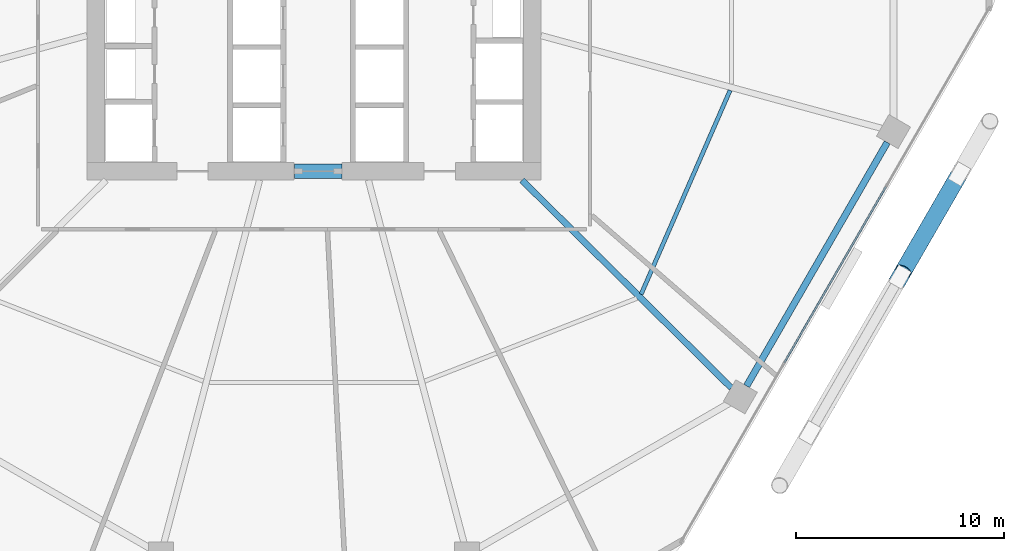
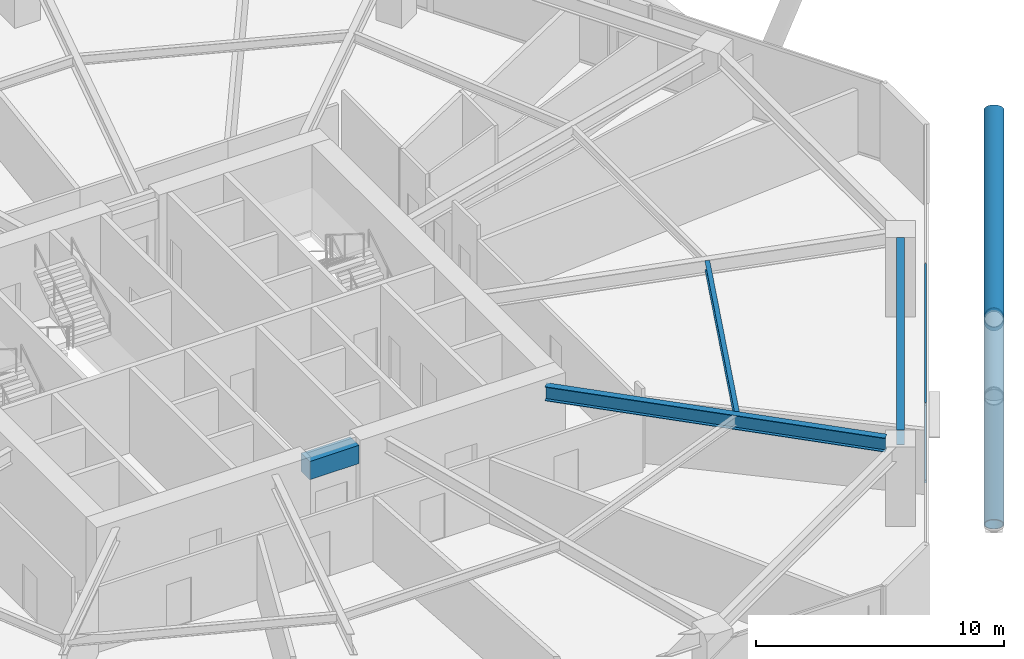
# One storey, part 10 of 30: 4 beams, 4 members, 1 element without a shape of its own.
"""IFC4 building model written with IfcOpenShell, lengths in metres."""

from ifc_helpers import new_model, si_unit, direction, frame, origin, origin_2d, place, context, subcontext, project, spatial, rectangle, hollow_rectangle, hollow_circle, i_section, extrude, material, material_profile, profile_set, type_object, element, aggregate, save


model = new_model("IFC4")

# Units and contexts
model_context = context("Model", 3, precision=1e-05, world=origin(), true_north=direction((0.0, 1.0)))
body_context = subcontext(model_context, "Body", "Model", "MODEL_VIEW")
ifc_project = project(units=[si_unit("LENGTHUNIT", "METRE"), si_unit("AREAUNIT", "SQUARE_METRE"), si_unit("VOLUMEUNIT", "CUBIC_METRE"), si_unit("PLANEANGLEUNIT", "RADIAN"), si_unit("MASSUNIT", "GRAM", prefix="KILO")], contexts=[model_context])

# Site, building, storey
site_placement = place(None, origin())
site = spatial("IfcSite", under=ifc_project, at=site_placement, CompositionType="ELEMENT")
building_placement = place(site_placement, origin())
building = spatial("IfcBuilding", under=site, at=building_placement, Name="Zuhravey Tower", CompositionType="ELEMENT")
storey_placement = place(building_placement, frame((0.0, 0.0, 16.199951171875)))
storey = spatial("IfcBuildingStorey", under=building, at=storey_placement, Name="L04", CompositionType="ELEMENT", Elevation=16.199951171875)

# Beam
ifc_material_1 = material(Name="Concrete C60/75", Category="concrete")
ifc_material_profile_1 = material_profile(ifc_material_1, rectangle(XDim=0.699951171875, YDim=0.89990234375, at=origin_2d()), Name="RC-700x900")
ifc_profile_set_1 = profile_set([ifc_material_profile_1], Name="Concrete C60/75")
beam_type_1 = type_object("IfcBeamType", Name="Core Coupling Beam RC700x900", PredefinedType="LINTEL", material=ifc_profile_set_1)
beam_1_placement = place(storey_placement, frame((35.052001953125, 22.5, 3.469970703125), z_axis=(1.0, 0.0, 0.0), x_axis=(0.0, 1.0, 0.0)))
element("IfcBeam", 1, at=beam_1_placement, inside=storey, type_object=beam_type_1, Name="L04 CB1 BM-L04-CB-S", PredefinedType="LINTEL", context=body_context, shape_type="SweptSolid", body=[
    extrude(rectangle(XDim=0.699951171875, YDim=0.89990234375, at=origin_2d()), origin(), (0.0, 0.0, 1.0), 2.2958984375),
])

# Curtain wall, members
ifc_material_2 = material(Name="Thermally broken anodised aluminium", Category="aluminium")
curtain_wall_type = type_object("IfcCurtainWallType", Name="School Low-E Unitised Curtain Wall CW1", PredefinedType="NOTDEFINED", material=ifc_material_2)
curtain_wall_placement = place(storey_placement, origin())
curtain_wall = element("IfcCurtainWall", 2, at=curtain_wall_placement, inside=storey, type_object=curtain_wall_type, Name="L04 CW1 CW-L04-F6-1", PredefinedType="NOTDEFINED")
ifc_material_3 = material(Name="Anodised aluminium", Category="aluminium")
ifc_material_profile_2 = material_profile(ifc_material_3, hollow_rectangle(XDim=0.090087890625, YDim=0.14990234375, WallThickness=0.0048828125, at=origin_2d()), Name="ALU-RHS-90x150x5")
ifc_profile_set_2 = profile_set([ifc_material_profile_2], Name="Anodised aluminium")
member_type_1 = type_object("IfcMemberType", Name="Curtain-Wall Transom 90x150", PredefinedType="USERDEFINED", material=ifc_profile_set_2)
member_1_placement = place(storey_placement, frame((63.52294921875, 21.754150390625, 0.045166015625), z_axis=(-0.499990498062, -0.866030889661, 0.0), x_axis=(0.866030889661, -0.499990498062, 0.0)))
member_1 = element("IfcMember", 3, at=member_1_placement, type_object=member_type_1, Name="CW1 transom 2.1", ObjectType="TRANSOM", PredefinedType="USERDEFINED", context=body_context, shape_type="SweptSolid", body=[
    extrude(hollow_rectangle(XDim=0.090087890625, YDim=0.14990234375, WallThickness=0.0048828125, at=origin_2d()), origin(), (0.0, 0.0, 1.0), 9.776611328125),
])
member_2_placement = place(storey_placement, frame((63.52294921875, 21.754150390625, 3.875), z_axis=(-0.499990498062, -0.866030889661, 0.0), x_axis=(0.866030889661, -0.499990498062, 0.0)))
member_2 = element("IfcMember", 4, at=member_2_placement, type_object=member_type_1, Name="CW1 transom 2.2", ObjectType="TRANSOM", PredefinedType="USERDEFINED", context=body_context, shape_type="SweptSolid", body=[
    extrude(hollow_rectangle(XDim=0.090087890625, YDim=0.14990234375, WallThickness=0.0048828125, at=origin_2d()), origin(), (0.0, 0.0, 1.0), 9.776611328125),
])
aggregate(curtain_wall, [member_1, member_2])

# Members
ifc_material_4 = material(Name="Steel SM460", Category="steel")
ifc_material_profile_3 = material_profile(ifc_material_4, hollow_circle(Radius=0.406494140625, WallThickness=0.035888671875, at=origin_2d()), Name="CHS-812.8x36")
ifc_profile_set_3 = profile_set([ifc_material_profile_3], Name="Steel SM460")
member_type_2 = type_object("IfcMemberType", Name="Exoskeleton Zone 1 Diagrid CHS813x36", PredefinedType="BRACE", material=ifc_profile_set_3)
member_3_placement = place(storey_placement, frame((59.894775390625, 9.949951171875, -0.471923828125), z_axis=(0.449932637588, 0.779312332372, 0.436156978902), x_axis=(-0.866027110715, 0.499997043497, 0.0)))
element("IfcMember", 5, at=member_3_placement, inside=storey, type_object=member_type_2, Name="L04 Face 6 Diagrid Brace 2", PredefinedType="BRACE", context=body_context, shape_type="SweptSolid", body=[
    extrude(hollow_circle(Radius=0.406494140625, WallThickness=0.035888671875, at=origin_2d()), origin(), (0.0, 0.0, 1.0), 19.158203125),
])
member_4_placement = place(storey_placement, frame((67.045654296875, 22.335693359375, -0.464111328125), z_axis=(-0.403092056741, -0.69816190232, 0.59168129254), x_axis=(0.866021056018, -0.500007530476, 0.0)))
element("IfcMember", 6, at=member_4_placement, inside=storey, type_object=member_type_2, Name="L04 Face 6 Split Diagrid Brace 3A", PredefinedType="BRACE", context=body_context, shape_type="SweptSolid", body=[
    extrude(hollow_circle(Radius=0.406494140625, WallThickness=0.035888671875, at=origin_2d()), origin(), (0.0, 0.0, 1.0), 6.6513671875),
])

# Beams
ifc_material_5 = material(Name="Steel SM355", Category="steel")
ifc_material_profile_4 = material_profile(ifc_material_5, i_section(OverallWidth=0.320068359375, OverallDepth=0.75, WebThickness=0.013916015625, FlangeThickness=0.02490234375, at=origin_2d()), Name="H-750x320x14x25")
ifc_profile_set_4 = profile_set([ifc_material_profile_4], Name="Steel SM355")
beam_type_2 = type_object("IfcBeamType", Name="Perimeter Ring Beam H750x320", PredefinedType="BEAM", material=ifc_profile_set_4)
beam_2_placement = place(storey_placement, frame((56.820556640625, 12.165283203125, 3.545166015625), z_axis=(0.499999877243, 0.866025474658, 0.0), x_axis=(-0.866025474658, 0.499999877243, 0.0)))
element("IfcBeam", 7, at=beam_2_placement, inside=storey, type_object=beam_type_2, Name="L04 PB1 BM-L04-PB-11", PredefinedType="BEAM", context=body_context, shape_type="SweptSolid", body=[
    extrude(i_section(OverallWidth=0.320068359375, OverallDepth=0.75, WebThickness=0.013916015625, FlangeThickness=0.02490234375, at=origin_2d()), origin(), (0.0, 0.0, 1.0), 13.5341796875),
])
ifc_material_profile_5 = material_profile(ifc_material_5, i_section(OverallWidth=0.300048828125, OverallDepth=0.699951171875, WebThickness=0.012939453125, FlangeThickness=0.02392578125, at=origin_2d()), Name="H-700x300x13x24")
ifc_profile_set_5 = profile_set([ifc_material_profile_5], Name="Steel SM355")
beam_type_3 = type_object("IfcBeamType", Name="Radial Primary Girder H700x300", PredefinedType="BEAM", material=ifc_profile_set_5)
beam_3_placement = place(storey_placement, frame((46.007080078125, 22.072021484375, 3.570068359375), z_axis=(0.709902823282, -0.704299639, 0.0), x_axis=(0.704299639, 0.709902823282, 0.0)))
element("IfcBeam", 8, at=beam_3_placement, inside=storey, type_object=beam_type_3, Name="L04 RG1 BM-L04-RAD-11", PredefinedType="BEAM", context=body_context, shape_type="SweptSolid", body=[
    extrude(i_section(OverallWidth=0.300048828125, OverallDepth=0.699951171875, WebThickness=0.012939453125, FlangeThickness=0.02392578125, at=origin_2d()), origin(), (0.0, 0.0, 1.0), 14.204345703125),
])
ifc_material_profile_6 = material_profile(ifc_material_5, i_section(OverallWidth=0.199951171875, OverallDepth=0.449951171875, WebThickness=0.009033203125, FlangeThickness=0.013916015625, at=origin_2d()), Name="H-450x200x9x14")
ifc_profile_set_6 = profile_set([ifc_material_profile_6], Name="Steel SM355")
beam_type_4 = type_object("IfcBeamType", Name="Secondary Floor Joist H450x200", PredefinedType="JOIST", material=ifc_profile_set_6)
beam_4_placement = place(storey_placement, frame((51.7451171875, 16.58154296875, 3.695068359375), z_axis=(0.399923551578, 0.916548500022, 0.0), x_axis=(-0.916548500022, 0.399923551578, 0.0)))
element("IfcBeam", 9, at=beam_4_placement, inside=storey, type_object=beam_type_4, Name="L04 SJ1 BM-L04-SJ-11-1", PredefinedType="JOIST", context=body_context, shape_type="SweptSolid", body=[
    extrude(i_section(OverallWidth=0.199951171875, OverallDepth=0.449951171875, WebThickness=0.009033203125, FlangeThickness=0.013916015625, at=origin_2d()), origin(), (0.0, 0.0, 1.0), 10.70263671875),
])

save(model, "model.ifc")
